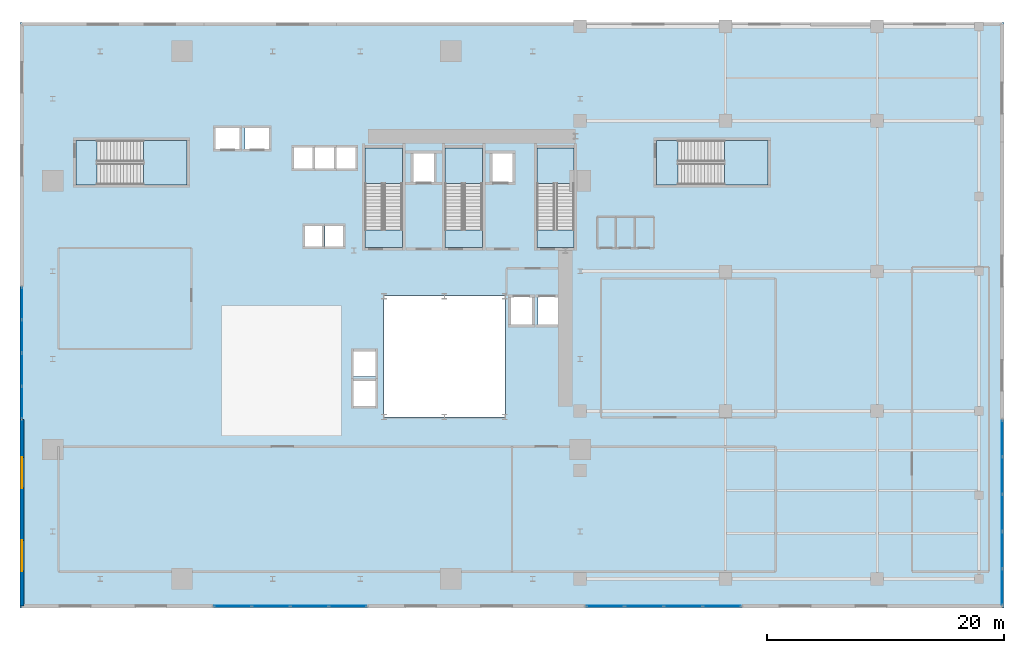
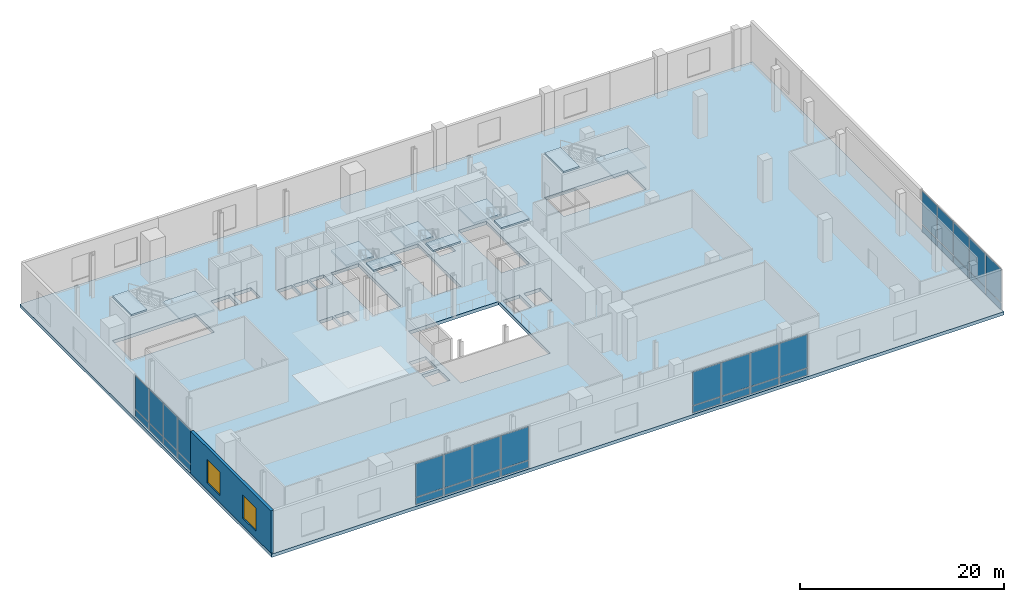
# One storey, part 5 of 12: 34 plates, 11 slabs, 2 windows, 1 wall, 2 openings, 9 elements without a shape of their own.
"""IFC4 building model written with IfcOpenShell, lengths in metres."""

from ifc_helpers import new_model, si_unit, direction, frame, frame_2d, origin, origin_2d, place, context, subcontext, project, spatial, polyline, rectangle, outline, extrude, source, transform, mapped, material, layer, layer_set, type_object, element, fill, aggregate, save


model = new_model("IFC4")

# Units and contexts
model_context = context("Model", 3, precision=1e-05, world=origin(), true_north=direction((0.0, 1.0)))
body_context = subcontext(model_context, "Body", "Model", "MODEL_VIEW")
ifc_project = project(units=[si_unit("LENGTHUNIT", "METRE"), si_unit("AREAUNIT", "SQUARE_METRE"), si_unit("VOLUMEUNIT", "CUBIC_METRE"), si_unit("PLANEANGLEUNIT", "RADIAN"), si_unit("MASSUNIT", "GRAM", prefix="KILO")], contexts=[model_context])

# Site, building, storey
site_placement = place(None, origin())
site = spatial("IfcSite", under=ifc_project, at=site_placement, CompositionType="ELEMENT")
building_placement = place(site_placement, origin())
building = spatial("IfcBuilding", under=site, at=building_placement, Name="Vardaveli Station Tower", CompositionType="ELEMENT")
storey_placement = place(building_placement, frame((0.0, 0.0, 17.0)))
storey = spatial("IfcBuildingStorey", under=building, at=storey_placement, Name="L04", CompositionType="ELEMENT", Elevation=17.0)

# Stair, slabs
ifc_material_1 = material(Name="Concrete C40/50", Category="concrete")
stair_type_1 = type_object("IfcStairType", Name="STR-CORE-1500", PredefinedType="HALF_TURN_STAIR", material=ifc_material_1)
stair_1_placement = place(storey_placement, origin())
stair_1 = element("IfcStair", 1, at=stair_1_placement, inside=storey, type_object=stair_type_1, Name="L04 ST-1", PredefinedType="HALF_TURN_STAIR")
ifc_layer_1 = layer(ifc_material_1, 0.199951171875, Name="Concrete C40/50")
ifc_layer_set_1 = layer_set([ifc_layer_1], Name="Concrete C40/50")
slab_type_1 = type_object("IfcSlabType", Name="SLB-LAND-200", PredefinedType="LANDING", material=ifc_layer_set_1)
slab_1_placement = place(storey_placement, frame((0.0, 0.0, 2.5)))
slab_1 = element("IfcSlab", 2, at=slab_1_placement, type_object=slab_type_1, Name="ST-1 landing 1", PredefinedType="LANDING", context=body_context, shape_type="SweptSolid", body=[
    extrude(outline(polyline([(32.75, 36.320068359375), (32.75, 39.300048828125), (29.60009765625, 39.300048828125), (29.60009765625, 36.320068359375), (32.75, 36.320068359375)])), origin(), (0.0, 0.0, 1.0), 0.199951171875),
])
slab_2_placement = place(storey_placement, frame((0.0, 0.0, 5.199951171875)))
slab_2 = element("IfcSlab", 3, at=slab_2_placement, type_object=slab_type_1, Name="ST-1 landing 2", PredefinedType="LANDING", context=body_context, shape_type="SweptSolid", body=[
    extrude(outline(polyline([(32.75, 30.89990234375), (32.75, 32.39990234375), (29.60009765625, 32.39990234375), (29.60009765625, 30.89990234375), (32.75, 30.89990234375)])), origin(), (0.0, 0.0, 1.0), 0.199951171875),
])
aggregate(stair_1, [slab_1, slab_2])

stair_2_placement = place(storey_placement, origin())
stair_2 = element("IfcStair", 4, at=stair_2_placement, inside=storey, type_object=stair_type_1, Name="L04 ST-2", PredefinedType="HALF_TURN_STAIR")
slab_3_placement = place(storey_placement, frame((0.0, 0.0, 2.5)))
slab_3 = element("IfcSlab", 5, at=slab_3_placement, type_object=slab_type_1, Name="ST-2 landing 1", PredefinedType="LANDING", context=body_context, shape_type="SweptSolid", body=[
    extrude(outline(polyline([(39.5, 36.320068359375), (39.5, 39.300048828125), (36.35009765625, 39.300048828125), (36.35009765625, 36.320068359375), (39.5, 36.320068359375)])), origin(), (0.0, 0.0, 1.0), 0.199951171875),
])
slab_4_placement = place(storey_placement, frame((0.0, 0.0, 5.199951171875)))
slab_4 = element("IfcSlab", 6, at=slab_4_placement, type_object=slab_type_1, Name="ST-2 landing 2", PredefinedType="LANDING", context=body_context, shape_type="SweptSolid", body=[
    extrude(outline(polyline([(39.5, 30.89990234375), (39.5, 32.39990234375), (36.35009765625, 32.39990234375), (36.35009765625, 30.89990234375), (39.5, 30.89990234375)])), origin(), (0.0, 0.0, 1.0), 0.199951171875),
])
aggregate(stair_2, [slab_3, slab_4])

stair_3_placement = place(storey_placement, origin())
stair_3 = element("IfcStair", 7, at=stair_3_placement, inside=storey, type_object=stair_type_1, Name="L04 ST-3", PredefinedType="HALF_TURN_STAIR")
slab_5_placement = place(storey_placement, frame((0.0, 0.0, 2.5)))
slab_5 = element("IfcSlab", 8, at=slab_5_placement, type_object=slab_type_1, Name="ST-3 landing 1", PredefinedType="LANDING", context=body_context, shape_type="SweptSolid", body=[
    extrude(outline(polyline([(47.25, 36.320068359375), (47.25, 39.300048828125), (44.10009765625, 39.300048828125), (44.10009765625, 36.320068359375), (47.25, 36.320068359375)])), origin(), (0.0, 0.0, 1.0), 0.199951171875),
])
slab_6_placement = place(storey_placement, frame((0.0, 0.0, 5.199951171875)))
slab_6 = element("IfcSlab", 9, at=slab_6_placement, type_object=slab_type_1, Name="ST-3 landing 2", PredefinedType="LANDING", context=body_context, shape_type="SweptSolid", body=[
    extrude(outline(polyline([(47.25, 30.89990234375), (47.25, 32.39990234375), (44.10009765625, 32.39990234375), (44.10009765625, 30.89990234375), (47.25, 30.89990234375)])), origin(), (0.0, 0.0, 1.0), 0.199951171875),
])
aggregate(stair_3, [slab_5, slab_6])

stair_type_2 = type_object("IfcStairType", Name="STR-POD-1800", PredefinedType="HALF_TURN_STAIR", material=ifc_material_1)
stair_4_placement = place(storey_placement, origin())
stair_4 = element("IfcStair", 10, at=stair_4_placement, inside=storey, type_object=stair_type_2, Name="L04 ST-P1", PredefinedType="HALF_TURN_STAIR")
slab_7_placement = place(storey_placement, frame((0.0, 0.0, 2.5)))
slab_7 = element("IfcSlab", 11, at=slab_7_placement, type_object=slab_type_1, Name="ST-P1 landing 1", PredefinedType="LANDING", context=body_context, shape_type="SweptSolid", body=[
    extrude(outline(polyline([(10.919921875, 36.199951171875), (14.60009765625, 36.199951171875), (14.60009765625, 39.949951171875), (10.919921875, 39.949951171875), (10.919921875, 36.199951171875)])), origin(), (0.0, 0.0, 1.0), 0.199951171875),
])
slab_8_placement = place(storey_placement, frame((0.0, 0.0, 5.199951171875)))
slab_8 = element("IfcSlab", 12, at=slab_8_placement, type_object=slab_type_1, Name="ST-P1 landing 2", PredefinedType="LANDING", context=body_context, shape_type="SweptSolid", body=[
    extrude(outline(polyline([(5.199951171875, 36.199951171875), (7.0, 36.199951171875), (7.0, 39.949951171875), (5.199951171875, 39.949951171875), (5.199951171875, 36.199951171875)])), origin(), (0.0, 0.0, 1.0), 0.199951171875),
])
aggregate(stair_4, [slab_7, slab_8])

stair_5_placement = place(storey_placement, origin())
stair_5 = element("IfcStair", 13, at=stair_5_placement, inside=storey, type_object=stair_type_2, Name="L04 ST-P2", PredefinedType="HALF_TURN_STAIR")
slab_9_placement = place(storey_placement, frame((0.0, 0.0, 2.5)))
slab_9 = element("IfcSlab", 14, at=slab_9_placement, type_object=slab_type_1, Name="ST-P2 landing 1", PredefinedType="LANDING", context=body_context, shape_type="SweptSolid", body=[
    extrude(outline(polyline([(59.919921875, 36.199951171875), (63.60009765625, 36.199951171875), (63.60009765625, 39.949951171875), (59.919921875, 39.949951171875), (59.919921875, 36.199951171875)])), origin(), (0.0, 0.0, 1.0), 0.199951171875),
])
slab_10_placement = place(storey_placement, frame((0.0, 0.0, 5.199951171875)))
slab_10 = element("IfcSlab", 15, at=slab_10_placement, type_object=slab_type_1, Name="ST-P2 landing 2", PredefinedType="LANDING", context=body_context, shape_type="SweptSolid", body=[
    extrude(outline(polyline([(54.199951171875, 36.199951171875), (56.0, 36.199951171875), (56.0, 39.949951171875), (54.199951171875, 39.949951171875), (54.199951171875, 36.199951171875)])), origin(), (0.0, 0.0, 1.0), 0.199951171875),
])
aggregate(stair_5, [slab_9, slab_10])

# Slab
ifc_material_2 = material(Name="Concrete C50/60", Category="concrete")
ifc_layer_2 = layer(ifc_material_2, 0.39990234375, Name="Concrete C50/60")
ifc_layer_set_2 = layer_set([ifc_layer_2], Name="Concrete C50/60")
slab_type_2 = type_object("IfcSlabType", Name="SLB-TRANS-400", PredefinedType="FLOOR", material=ifc_layer_set_2)
slab_11_placement = place(storey_placement, frame((0.0, 0.0, -0.39990234375)))
element("IfcSlab", 16, at=slab_11_placement, inside=storey, type_object=slab_type_2, Name="SLB-L04-MAIN", PredefinedType="FLOOR", context=body_context, shape_type="SweptSolid", body=[
    extrude(outline(polyline([(0.489990234375, 0.489990234375), (83.510009765625, 0.489990234375), (83.510009765625, 49.909912109375), (0.489990234375, 49.909912109375), (0.489990234375, 0.489990234375)]), holes=[polyline([(31.199951171875, 16.60009765625), (41.39990234375, 16.60009765625), (41.39990234375, 26.800048828125), (31.199951171875, 26.800048828125), (31.199951171875, 16.60009765625)]), polyline([(32.75, 30.89990234375), (32.75, 39.300048828125), (29.60009765625, 39.300048828125), (29.60009765625, 30.89990234375), (32.75, 30.89990234375)]), polyline([(39.5, 30.89990234375), (39.5, 39.300048828125), (36.35009765625, 39.300048828125), (36.35009765625, 30.89990234375), (39.5, 30.89990234375)]), polyline([(47.25, 30.89990234375), (47.25, 39.300048828125), (44.10009765625, 39.300048828125), (44.10009765625, 30.89990234375), (47.25, 30.89990234375)]), polyline([(5.199951171875, 36.199951171875), (14.60009765625, 36.199951171875), (14.60009765625, 39.949951171875), (5.199951171875, 39.949951171875), (5.199951171875, 36.199951171875)]), polyline([(54.199951171875, 36.199951171875), (63.60009765625, 36.199951171875), (63.60009765625, 39.949951171875), (54.199951171875, 39.949951171875), (54.199951171875, 36.199951171875)]), polyline([(16.9599609375, 39.18505859375), (19.0400390625, 39.18505859375), (19.0400390625, 41.014892578125), (16.9599609375, 41.014892578125), (16.9599609375, 39.18505859375)]), polyline([(19.4599609375, 39.18505859375), (21.5400390625, 39.18505859375), (21.5400390625, 41.014892578125), (19.4599609375, 41.014892578125), (19.4599609375, 39.18505859375)]), polyline([(23.5849609375, 37.534912109375), (25.215087890625, 37.534912109375), (25.215087890625, 39.364990234375), (23.5849609375, 39.364990234375), (23.5849609375, 37.534912109375)]), polyline([(25.385009765625, 37.534912109375), (27.014892578125, 37.534912109375), (27.014892578125, 39.364990234375), (25.385009765625, 39.364990234375), (25.385009765625, 37.534912109375)]), polyline([(27.18505859375, 37.534912109375), (28.81494140625, 37.534912109375), (28.81494140625, 39.364990234375), (27.18505859375, 39.364990234375), (27.18505859375, 37.534912109375)]), polyline([(33.659912109375, 36.409912109375), (35.43994140625, 36.409912109375), (35.43994140625, 38.889892578125), (33.659912109375, 38.889892578125), (33.659912109375, 36.409912109375)]), polyline([(40.31005859375, 36.409912109375), (42.090087890625, 36.409912109375), (42.090087890625, 38.889892578125), (40.31005859375, 38.889892578125), (40.31005859375, 36.409912109375)]), polyline([(24.485107421875, 30.9599609375), (26.014892578125, 30.9599609375), (26.014892578125, 32.739990234375), (24.485107421875, 32.739990234375), (24.485107421875, 30.9599609375)]), polyline([(26.235107421875, 30.9599609375), (27.764892578125, 30.9599609375), (27.764892578125, 32.739990234375), (26.235107421875, 32.739990234375), (26.235107421875, 30.9599609375)]), polyline([(28.5849609375, 17.510009765625), (30.514892578125, 17.510009765625), (30.514892578125, 19.68994140625), (28.5849609375, 19.68994140625), (28.5849609375, 17.510009765625)]), polyline([(28.5849609375, 20.010009765625), (30.514892578125, 20.010009765625), (30.514892578125, 22.18994140625), (28.5849609375, 22.18994140625), (28.5849609375, 20.010009765625)]), polyline([(41.860107421875, 24.360107421875), (43.739990234375, 24.360107421875), (43.739990234375, 26.739990234375), (41.860107421875, 26.739990234375), (41.860107421875, 24.360107421875)]), polyline([(44.2099609375, 24.360107421875), (46.090087890625, 24.360107421875), (46.090087890625, 26.739990234375), (44.2099609375, 26.739990234375), (44.2099609375, 24.360107421875)])]), origin(), (0.0, 0.0, 1.0), 0.39990234375),
])

# Curtain wall, plates
ifc_material_3 = material(Name="Travertine stone and solar-control glass", Category="masonry")
curtain_wall_type = type_object("IfcCurtainWallType", Name="CW-SYS-1", PredefinedType="NOTDEFINED", material=ifc_material_3)
curtain_wall_1_placement = place(storey_placement, origin())
curtain_wall_1 = element("IfcCurtainWall", 17, at=curtain_wall_1_placement, inside=storey, type_object=curtain_wall_type, Name="CW-L04-S2", PredefinedType="NOTDEFINED")
ifc_material_4 = material(Name="Double-glazed low-E solar-control glass", Category="glass")
ifc_layer_3 = layer(ifc_material_4, 0.048095703125, Name="Double-glazed low-E solar-control glass")
ifc_layer_set_3 = layer_set([ifc_layer_3], Name="Double-glazed low-E solar-control glass")
plate_type = type_object("IfcPlateType", Name="CW-SYS-1-PAN", PredefinedType="CURTAIN_PANEL", material=ifc_layer_set_3)
shared_shape_1 = source(origin(), body_context, "Body", "SweptSolid", [
    extrude(rectangle(XDim=3.107421875, YDim=0.048095703125, at=origin_2d()), origin(), (0.0, 0.0, 1.0), 0.8076171875),
])
plate_1_placement = place(storey_placement, frame((18.44873046875, 0.64990234375, 0.094970703125), z_axis=(0.0, 0.0, 1.0), x_axis=(1.0, 0.0, 0.0)))
plate_1 = element("IfcPlate", 18, at=plate_1_placement, type_object=plate_type, Name="CW-1 panel 1.1", PredefinedType="CURTAIN_PANEL", context=body_context, shape_type="MappedRepresentation", body=[
    mapped(shared_shape_1, transform((0.0, 0.0, 0.0), scale=1.0)),
])
plate_2_placement = place(storey_placement, frame((28.1513671875, 0.64990234375, 0.094970703125), z_axis=(0.0, 0.0, 1.0), x_axis=(1.0, 0.0, 0.0)))
plate_2 = element("IfcPlate", 19, at=plate_2_placement, type_object=plate_type, Name="CW-1 panel 4.1", PredefinedType="CURTAIN_PANEL", context=body_context, shape_type="MappedRepresentation", body=[
    mapped(shared_shape_1, transform((0.0, 0.0, 0.0), scale=1.0)),
])
shared_shape_2 = source(origin(), body_context, "Body", "SweptSolid", [
    extrude(rectangle(XDim=3.155029296875, YDim=0.048095703125, at=origin_2d()), origin(), (0.0, 0.0, 1.0), 0.8076171875),
])
plate_3_placement = place(storey_placement, frame((21.675048828125, 0.64990234375, 0.094970703125), z_axis=(0.0, 0.0, 1.0), x_axis=(1.0, 0.0, 0.0)))
plate_3 = element("IfcPlate", 20, at=plate_3_placement, type_object=plate_type, Name="CW-1 panel 2.1", PredefinedType="CURTAIN_PANEL", context=body_context, shape_type="MappedRepresentation", body=[
    mapped(shared_shape_2, transform((0.0, 0.0, 0.0), scale=1.0)),
])
plate_4_placement = place(storey_placement, frame((24.925048828125, 0.64990234375, 0.094970703125), z_axis=(0.0, 0.0, 1.0), x_axis=(1.0, 0.0, 0.0)))
plate_4 = element("IfcPlate", 21, at=plate_4_placement, type_object=plate_type, Name="CW-1 panel 3.1", PredefinedType="CURTAIN_PANEL", context=body_context, shape_type="MappedRepresentation", body=[
    mapped(shared_shape_2, transform((0.0, 0.0, 0.0), scale=1.0)),
])

curtain_wall_2_placement = place(storey_placement, origin())
curtain_wall_2 = element("IfcCurtainWall", 22, at=curtain_wall_2_placement, inside=storey, type_object=curtain_wall_type, Name="CW-L04-S4", PredefinedType="NOTDEFINED")
shared_shape_3 = source(origin(), body_context, "Body", "SweptSolid", [
    extrude(rectangle(XDim=3.157470703125, YDim=0.048095703125, at=origin_2d()), origin(), (0.0, 0.0, 1.0), 0.8076171875),
])
plate_5_placement = place(storey_placement, frame((49.873779296875, 0.64990234375, 0.094970703125), z_axis=(0.0, 0.0, 1.0), x_axis=(1.0, 0.0, 0.0)))
plate_5 = element("IfcPlate", 23, at=plate_5_placement, type_object=plate_type, Name="CW-1 panel 1.1", PredefinedType="CURTAIN_PANEL", context=body_context, shape_type="MappedRepresentation", body=[
    mapped(shared_shape_3, transform((0.0, 0.0, 0.0), scale=1.0)),
])
plate_6_placement = place(storey_placement, frame((59.726318359375, 0.64990234375, 0.094970703125), z_axis=(0.0, 0.0, 1.0), x_axis=(1.0, 0.0, 0.0)))
plate_6 = element("IfcPlate", 24, at=plate_6_placement, type_object=plate_type, Name="CW-1 panel 4.1", PredefinedType="CURTAIN_PANEL", context=body_context, shape_type="MappedRepresentation", body=[
    mapped(shared_shape_3, transform((0.0, 0.0, 0.0), scale=1.0)),
])
shared_shape_4 = source(origin(), body_context, "Body", "SweptSolid", [
    extrude(rectangle(XDim=3.205078125, YDim=0.048095703125, at=origin_2d()), origin(), (0.0, 0.0, 1.0), 0.8076171875),
])
plate_7_placement = place(storey_placement, frame((53.14990234375, 0.64990234375, 0.094970703125), z_axis=(0.0, 0.0, 1.0), x_axis=(1.0, 0.0, 0.0)))
plate_7 = element("IfcPlate", 25, at=plate_7_placement, type_object=plate_type, Name="CW-1 panel 2.1", PredefinedType="CURTAIN_PANEL", context=body_context, shape_type="MappedRepresentation", body=[
    mapped(shared_shape_4, transform((0.0, 0.0, 0.0), scale=1.0)),
])
plate_8_placement = place(storey_placement, frame((56.449951171875, 0.64990234375, 0.094970703125), z_axis=(0.0, 0.0, 1.0), x_axis=(1.0, 0.0, 0.0)))
plate_8 = element("IfcPlate", 26, at=plate_8_placement, type_object=plate_type, Name="CW-1 panel 3.1", PredefinedType="CURTAIN_PANEL", context=body_context, shape_type="MappedRepresentation", body=[
    mapped(shared_shape_4, transform((0.0, 0.0, 0.0), scale=1.0)),
])

curtain_wall_3_placement = place(storey_placement, origin())
curtain_wall_3 = element("IfcCurtainWall", 27, at=curtain_wall_3_placement, inside=storey, type_object=curtain_wall_type, Name="CW-L04-E1", PredefinedType="NOTDEFINED")
shared_shape_5 = source(origin(), body_context, "Body", "SweptSolid", [
    extrude(rectangle(XDim=3.007568359375, YDim=0.048095703125, at=origin_2d()), origin(), (0.0, 0.0, 1.0), 0.8076171875),
])
plate_9_placement = place(storey_placement, frame((83.35009765625, 2.248779296875, 0.094970703125), z_axis=(0.0, 0.0, 1.0), x_axis=(0.0, 1.0, 0.0)))
plate_9 = element("IfcPlate", 28, at=plate_9_placement, type_object=plate_type, Name="CW-1 panel 1.1", PredefinedType="CURTAIN_PANEL", context=body_context, shape_type="MappedRepresentation", body=[
    mapped(shared_shape_5, transform((0.0, 0.0, 0.0), scale=1.0)),
])
plate_10_placement = place(storey_placement, frame((83.35009765625, 14.80126953125, 0.094970703125), z_axis=(0.0, 0.0, 1.0), x_axis=(0.0, 1.0, 0.0)))
plate_10 = element("IfcPlate", 29, at=plate_10_placement, type_object=plate_type, Name="CW-1 panel 5.1", PredefinedType="CURTAIN_PANEL", context=body_context, shape_type="MappedRepresentation", body=[
    mapped(shared_shape_5, transform((0.0, 0.0, 0.0), scale=1.0)),
])
shared_shape_6 = source(origin(), body_context, "Body", "SweptSolid", [
    extrude(rectangle(XDim=3.054931640625, YDim=0.048095703125, at=origin_2d()), origin(), (0.0, 0.0, 1.0), 0.8076171875),
])
plate_11_placement = place(storey_placement, frame((83.35009765625, 5.375, 0.094970703125), z_axis=(0.0, 0.0, 1.0), x_axis=(0.0, 1.0, 0.0)))
plate_11 = element("IfcPlate", 30, at=plate_11_placement, type_object=plate_type, Name="CW-1 panel 2.1", PredefinedType="CURTAIN_PANEL", context=body_context, shape_type="MappedRepresentation", body=[
    mapped(shared_shape_6, transform((0.0, 0.0, 0.0), scale=1.0)),
])
plate_12_placement = place(storey_placement, frame((83.35009765625, 8.52490234375, 0.094970703125), z_axis=(0.0, 0.0, 1.0), x_axis=(0.0, 1.0, 0.0)))
plate_12 = element("IfcPlate", 31, at=plate_12_placement, type_object=plate_type, Name="CW-1 panel 3.1", PredefinedType="CURTAIN_PANEL", context=body_context, shape_type="MappedRepresentation", body=[
    mapped(shared_shape_6, transform((0.0, 0.0, 0.0), scale=1.0)),
])
plate_13_placement = place(storey_placement, frame((83.35009765625, 11.675048828125, 0.094970703125), z_axis=(0.0, 0.0, 1.0), x_axis=(0.0, 1.0, 0.0)))
plate_13 = element("IfcPlate", 32, at=plate_13_placement, type_object=plate_type, Name="CW-1 panel 4.1", PredefinedType="CURTAIN_PANEL", context=body_context, shape_type="MappedRepresentation", body=[
    mapped(shared_shape_6, transform((0.0, 0.0, 0.0), scale=1.0)),
])

curtain_wall_4_placement = place(storey_placement, origin())
curtain_wall_4 = element("IfcCurtainWall", 33, at=curtain_wall_4_placement, inside=storey, type_object=curtain_wall_type, Name="CW-L04-W2", PredefinedType="NOTDEFINED")
shared_shape_7 = source(origin(), body_context, "Body", "SweptSolid", [
    extrude(rectangle(XDim=2.657470703125, YDim=0.048095703125, at=origin_2d()), origin(), (0.0, 0.0, 1.0), 0.8076171875),
])
plate_14_placement = place(storey_placement, frame((0.64990234375, 26.17626953125, 0.094970703125), z_axis=(0.0, 0.0, 1.0), x_axis=(0.0, -1.0, 0.0)))
plate_14 = element("IfcPlate", 34, at=plate_14_placement, type_object=plate_type, Name="CW-1 panel 1.1", PredefinedType="CURTAIN_PANEL", context=body_context, shape_type="MappedRepresentation", body=[
    mapped(shared_shape_7, transform((0.0, 0.0, 0.0), scale=1.0)),
])
plate_15_placement = place(storey_placement, frame((0.64990234375, 17.82373046875, 0.094970703125), z_axis=(0.0, 0.0, 1.0), x_axis=(0.0, -1.0, 0.0)))
plate_15 = element("IfcPlate", 35, at=plate_15_placement, type_object=plate_type, Name="CW-1 panel 4.1", PredefinedType="CURTAIN_PANEL", context=body_context, shape_type="MappedRepresentation", body=[
    mapped(shared_shape_7, transform((0.0, 0.0, 0.0), scale=1.0)),
])
shared_shape_8 = source(origin(), body_context, "Body", "SweptSolid", [
    extrude(rectangle(XDim=2.705078125, YDim=0.048095703125, at=origin_2d()), origin(), (0.0, 0.0, 1.0), 0.8076171875),
])
plate_16_placement = place(storey_placement, frame((0.64990234375, 23.39990234375, 0.094970703125), z_axis=(0.0, 0.0, 1.0), x_axis=(0.0, -1.0, 0.0)))
plate_16 = element("IfcPlate", 36, at=plate_16_placement, type_object=plate_type, Name="CW-1 panel 2.1", PredefinedType="CURTAIN_PANEL", context=body_context, shape_type="MappedRepresentation", body=[
    mapped(shared_shape_8, transform((0.0, 0.0, 0.0), scale=1.0)),
])
plate_17_placement = place(storey_placement, frame((0.64990234375, 20.60009765625, 0.094970703125), z_axis=(0.0, 0.0, 1.0), x_axis=(0.0, -1.0, 0.0)))
plate_17 = element("IfcPlate", 37, at=plate_17_placement, type_object=plate_type, Name="CW-1 panel 3.1", PredefinedType="CURTAIN_PANEL", context=body_context, shape_type="MappedRepresentation", body=[
    mapped(shared_shape_8, transform((0.0, 0.0, 0.0), scale=1.0)),
])

# Plate
shared_shape_9 = source(origin(), body_context, "Body", "SweptSolid", [
    extrude(rectangle(XDim=3.107421875, YDim=0.048095703125, at=origin_2d()), origin(), (0.0, 0.0, 1.0), 3.987548828125),
])
plate_18_placement = place(storey_placement, frame((18.44873046875, 0.64990234375, 0.99755859375), z_axis=(0.0, 0.0, 1.0), x_axis=(1.0, 0.0, 0.0)))
plate_18 = element("IfcPlate", 38, at=plate_18_placement, type_object=plate_type, Name="CW-1 panel 1.2", PredefinedType="CURTAIN_PANEL", context=body_context, shape_type="MappedRepresentation", body=[
    mapped(shared_shape_9, transform((0.0, 0.0, 0.0), scale=1.0)),
])

plate_19_placement = place(storey_placement, frame((28.1513671875, 0.64990234375, 0.99755859375), z_axis=(0.0, 0.0, 1.0), x_axis=(1.0, 0.0, 0.0)))
plate_19 = element("IfcPlate", 39, at=plate_19_placement, type_object=plate_type, Name="CW-1 panel 4.2", PredefinedType="CURTAIN_PANEL", context=body_context, shape_type="MappedRepresentation", body=[
    mapped(shared_shape_9, transform((0.0, 0.0, 0.0), scale=1.0)),
])

shared_shape_10 = source(origin(), body_context, "Body", "SweptSolid", [
    extrude(rectangle(XDim=3.155029296875, YDim=0.048095703125, at=origin_2d()), origin(), (0.0, 0.0, 1.0), 3.987548828125),
])
plate_20_placement = place(storey_placement, frame((21.675048828125, 0.64990234375, 0.99755859375), z_axis=(0.0, 0.0, 1.0), x_axis=(1.0, 0.0, 0.0)))
plate_20 = element("IfcPlate", 40, at=plate_20_placement, type_object=plate_type, Name="CW-1 panel 2.2", PredefinedType="CURTAIN_PANEL", context=body_context, shape_type="MappedRepresentation", body=[
    mapped(shared_shape_10, transform((0.0, 0.0, 0.0), scale=1.0)),
])

plate_21_placement = place(storey_placement, frame((24.925048828125, 0.64990234375, 0.99755859375), z_axis=(0.0, 0.0, 1.0), x_axis=(1.0, 0.0, 0.0)))
plate_21 = element("IfcPlate", 41, at=plate_21_placement, type_object=plate_type, Name="CW-1 panel 3.2", PredefinedType="CURTAIN_PANEL", context=body_context, shape_type="MappedRepresentation", body=[
    mapped(shared_shape_10, transform((0.0, 0.0, 0.0), scale=1.0)),
])

aggregate(curtain_wall_1, [plate_1, plate_18, plate_3, plate_20, plate_4, plate_21, plate_2, plate_19])

shared_shape_11 = source(origin(), body_context, "Body", "SweptSolid", [
    extrude(rectangle(XDim=3.157470703125, YDim=0.048095703125, at=origin_2d()), origin(), (0.0, 0.0, 1.0), 3.987548828125),
])
plate_22_placement = place(storey_placement, frame((49.873779296875, 0.64990234375, 0.99755859375), z_axis=(0.0, 0.0, 1.0), x_axis=(1.0, 0.0, 0.0)))
plate_22 = element("IfcPlate", 42, at=plate_22_placement, type_object=plate_type, Name="CW-1 panel 1.2", PredefinedType="CURTAIN_PANEL", context=body_context, shape_type="MappedRepresentation", body=[
    mapped(shared_shape_11, transform((0.0, 0.0, 0.0), scale=1.0)),
])

plate_23_placement = place(storey_placement, frame((59.726318359375, 0.64990234375, 0.99755859375), z_axis=(0.0, 0.0, 1.0), x_axis=(1.0, 0.0, 0.0)))
plate_23 = element("IfcPlate", 43, at=plate_23_placement, type_object=plate_type, Name="CW-1 panel 4.2", PredefinedType="CURTAIN_PANEL", context=body_context, shape_type="MappedRepresentation", body=[
    mapped(shared_shape_11, transform((0.0, 0.0, 0.0), scale=1.0)),
])

shared_shape_12 = source(origin(), body_context, "Body", "SweptSolid", [
    extrude(rectangle(XDim=3.205078125, YDim=0.048095703125, at=origin_2d()), origin(), (0.0, 0.0, 1.0), 3.987548828125),
])
plate_24_placement = place(storey_placement, frame((53.14990234375, 0.64990234375, 0.99755859375), z_axis=(0.0, 0.0, 1.0), x_axis=(1.0, 0.0, 0.0)))
plate_24 = element("IfcPlate", 44, at=plate_24_placement, type_object=plate_type, Name="CW-1 panel 2.2", PredefinedType="CURTAIN_PANEL", context=body_context, shape_type="MappedRepresentation", body=[
    mapped(shared_shape_12, transform((0.0, 0.0, 0.0), scale=1.0)),
])

plate_25_placement = place(storey_placement, frame((56.449951171875, 0.64990234375, 0.99755859375), z_axis=(0.0, 0.0, 1.0), x_axis=(1.0, 0.0, 0.0)))
plate_25 = element("IfcPlate", 45, at=plate_25_placement, type_object=plate_type, Name="CW-1 panel 3.2", PredefinedType="CURTAIN_PANEL", context=body_context, shape_type="MappedRepresentation", body=[
    mapped(shared_shape_12, transform((0.0, 0.0, 0.0), scale=1.0)),
])

aggregate(curtain_wall_2, [plate_5, plate_22, plate_7, plate_24, plate_8, plate_25, plate_6, plate_23])

shared_shape_13 = source(origin(), body_context, "Body", "SweptSolid", [
    extrude(rectangle(XDim=2.657470703125, YDim=0.048095703125, at=origin_2d()), origin(), (0.0, 0.0, 1.0), 3.987548828125),
])
plate_26_placement = place(storey_placement, frame((0.64990234375, 26.17626953125, 0.99755859375), z_axis=(0.0, 0.0, 1.0), x_axis=(0.0, -1.0, 0.0)))
plate_26 = element("IfcPlate", 46, at=plate_26_placement, type_object=plate_type, Name="CW-1 panel 1.2", PredefinedType="CURTAIN_PANEL", context=body_context, shape_type="MappedRepresentation", body=[
    mapped(shared_shape_13, transform((0.0, 0.0, 0.0), scale=1.0)),
])

plate_27_placement = place(storey_placement, frame((0.64990234375, 17.82373046875, 0.99755859375), z_axis=(0.0, 0.0, 1.0), x_axis=(0.0, -1.0, 0.0)))
plate_27 = element("IfcPlate", 47, at=plate_27_placement, type_object=plate_type, Name="CW-1 panel 4.2", PredefinedType="CURTAIN_PANEL", context=body_context, shape_type="MappedRepresentation", body=[
    mapped(shared_shape_13, transform((0.0, 0.0, 0.0), scale=1.0)),
])

shared_shape_14 = source(origin(), body_context, "Body", "SweptSolid", [
    extrude(rectangle(XDim=2.705078125, YDim=0.048095703125, at=origin_2d()), origin(), (0.0, 0.0, 1.0), 3.987548828125),
])
plate_28_placement = place(storey_placement, frame((0.64990234375, 23.39990234375, 0.99755859375), z_axis=(0.0, 0.0, 1.0), x_axis=(0.0, -1.0, 0.0)))
plate_28 = element("IfcPlate", 48, at=plate_28_placement, type_object=plate_type, Name="CW-1 panel 2.2", PredefinedType="CURTAIN_PANEL", context=body_context, shape_type="MappedRepresentation", body=[
    mapped(shared_shape_14, transform((0.0, 0.0, 0.0), scale=1.0)),
])

plate_29_placement = place(storey_placement, frame((0.64990234375, 20.60009765625, 0.99755859375), z_axis=(0.0, 0.0, 1.0), x_axis=(0.0, -1.0, 0.0)))
plate_29 = element("IfcPlate", 49, at=plate_29_placement, type_object=plate_type, Name="CW-1 panel 3.2", PredefinedType="CURTAIN_PANEL", context=body_context, shape_type="MappedRepresentation", body=[
    mapped(shared_shape_14, transform((0.0, 0.0, 0.0), scale=1.0)),
])

aggregate(curtain_wall_4, [plate_14, plate_26, plate_16, plate_28, plate_17, plate_29, plate_15, plate_27])

shared_shape_15 = source(origin(), body_context, "Body", "SweptSolid", [
    extrude(rectangle(XDim=3.007568359375, YDim=0.048095703125, at=origin_2d()), origin(), (0.0, 0.0, 1.0), 3.987548828125),
])
plate_30_placement = place(storey_placement, frame((83.35009765625, 2.248779296875, 0.99755859375), z_axis=(0.0, 0.0, 1.0), x_axis=(0.0, 1.0, 0.0)))
plate_30 = element("IfcPlate", 50, at=plate_30_placement, type_object=plate_type, Name="CW-1 panel 1.2", PredefinedType="CURTAIN_PANEL", context=body_context, shape_type="MappedRepresentation", body=[
    mapped(shared_shape_15, transform((0.0, 0.0, 0.0), scale=1.0)),
])

plate_31_placement = place(storey_placement, frame((83.35009765625, 14.80126953125, 0.99755859375), z_axis=(0.0, 0.0, 1.0), x_axis=(0.0, 1.0, 0.0)))
plate_31 = element("IfcPlate", 51, at=plate_31_placement, type_object=plate_type, Name="CW-1 panel 5.2", PredefinedType="CURTAIN_PANEL", context=body_context, shape_type="MappedRepresentation", body=[
    mapped(shared_shape_15, transform((0.0, 0.0, 0.0), scale=1.0)),
])

shared_shape_16 = source(origin(), body_context, "Body", "SweptSolid", [
    extrude(rectangle(XDim=3.054931640625, YDim=0.048095703125, at=origin_2d()), origin(), (0.0, 0.0, 1.0), 3.987548828125),
])
plate_32_placement = place(storey_placement, frame((83.35009765625, 5.375, 0.99755859375), z_axis=(0.0, 0.0, 1.0), x_axis=(0.0, 1.0, 0.0)))
plate_32 = element("IfcPlate", 52, at=plate_32_placement, type_object=plate_type, Name="CW-1 panel 2.2", PredefinedType="CURTAIN_PANEL", context=body_context, shape_type="MappedRepresentation", body=[
    mapped(shared_shape_16, transform((0.0, 0.0, 0.0), scale=1.0)),
])

plate_33_placement = place(storey_placement, frame((83.35009765625, 8.52490234375, 0.99755859375), z_axis=(0.0, 0.0, 1.0), x_axis=(0.0, 1.0, 0.0)))
plate_33 = element("IfcPlate", 53, at=plate_33_placement, type_object=plate_type, Name="CW-1 panel 3.2", PredefinedType="CURTAIN_PANEL", context=body_context, shape_type="MappedRepresentation", body=[
    mapped(shared_shape_16, transform((0.0, 0.0, 0.0), scale=1.0)),
])

plate_34_placement = place(storey_placement, frame((83.35009765625, 11.675048828125, 0.99755859375), z_axis=(0.0, 0.0, 1.0), x_axis=(0.0, 1.0, 0.0)))
plate_34 = element("IfcPlate", 54, at=plate_34_placement, type_object=plate_type, Name="CW-1 panel 4.2", PredefinedType="CURTAIN_PANEL", context=body_context, shape_type="MappedRepresentation", body=[
    mapped(shared_shape_16, transform((0.0, 0.0, 0.0), scale=1.0)),
])

aggregate(curtain_wall_3, [plate_9, plate_30, plate_11, plate_32, plate_12, plate_33, plate_13, plate_34, plate_10, plate_31])

# Wall, openings, windows
ifc_material_5 = material(Name="Precast concrete C45/55", Category="concrete")
ifc_layer_4 = layer(ifc_material_5, 0.320068359375, Name="Precast concrete C45/55")
ifc_layer_set_4 = layer_set([ifc_layer_4], Name="Precast concrete C45/55")
wall_type = type_object("IfcWallType", Name="WAL-EXT-STONE-320", PredefinedType="SOLIDWALL", material=ifc_layer_set_4)
shared_shape_17 = source(origin(), body_context, "Body", "SweptSolid", [
    extrude(rectangle(XDim=15.75, YDim=0.320068359375, at=frame_2d((7.875, 0.0))), origin(), (0.0, 0.0, 1.0), 5.080078125),
])
wall_placement = place(storey_placement, frame((0.64990234375, 16.39990234375, 0.0), z_axis=(0.0, 0.0, 1.0), x_axis=(0.0, -1.0, 0.0)))
wall = element("IfcWall", 55, at=wall_placement, inside=storey, type_object=wall_type, Name="EW-L04-W1", PredefinedType="SOLIDWALL", context=body_context, shape_type="MappedRepresentation", body=[
    mapped(shared_shape_17, transform((0.0, 0.0, 0.0), scale=1.0)),
])
shared_shape_18 = source(origin(), body_context, "Body", "SweptSolid", [
    extrude(rectangle(XDim=2.60009765625, YDim=2.800048828125, at=frame_2d((1.300048828125, 1.39990234375))), frame((0.0, 0.169921875, 0.0), z_axis=(0.0, -1.0, 0.0), x_axis=(1.0, 0.0, 0.0)), (0.0, 0.0, 1.0), 0.340087890625),
])
opening_1_placement = place(wall_placement, frame((3.199951171875, 0.0, 0.85009765625)))
opening_1 = element("IfcOpeningElement", 56, at=opening_1_placement, cuts=wall, Name="Opening W-02", PredefinedType="OPENING", context=body_context, shape_type="MappedRepresentation", body=[
    mapped(shared_shape_18, transform((0.0, 0.0, 0.0), scale=1.0)),
])
opening_2_placement = place(wall_placement, frame((10.199951171875, 0.0, 0.85009765625)))
opening_2 = element("IfcOpeningElement", 57, at=opening_2_placement, cuts=wall, Name="Opening W-02", PredefinedType="OPENING", context=body_context, shape_type="MappedRepresentation", body=[
    mapped(shared_shape_18, transform((0.0, 0.0, 0.0), scale=1.0)),
])
ifc_material_6 = material(Name="Low-E solar-control glass", Category="glass")
window_type = type_object("IfcWindowType", Name="WIN-POD-2600x2800", PartitioningType="SINGLE_PANEL", PredefinedType="WINDOW", material=ifc_material_6)
shared_shape_19 = source(origin(), body_context, "Body", "SweptSolid", [
    extrude(rectangle(XDim=2.60009765625, YDim=2.800048828125, at=frame_2d((1.300048828125, 1.39990234375))), frame((0.0, 0.030029296875, 0.0), z_axis=(0.0, -1.0, 0.0), x_axis=(1.0, 0.0, 0.0)), (0.0, 0.0, 1.0), 0.06005859375),
])
window_1_placement = place(opening_1_placement, origin())
window_1 = element("IfcWindow", 58, at=window_1_placement, inside=storey, type_object=window_type, Name="WN-L04-W1A", OverallHeight=2.800048828125, OverallWidth=2.60009765625, PartitioningType="SINGLE_PANEL", PredefinedType="WINDOW", context=body_context, shape_type="MappedRepresentation", body=[
    mapped(shared_shape_19, transform((0.0, 0.0, 0.0), scale=1.0)),
])
fill(opening_1, window_1)
window_2_placement = place(opening_2_placement, origin())
window_2 = element("IfcWindow", 59, at=window_2_placement, inside=storey, type_object=window_type, Name="WN-L04-W1B", OverallHeight=2.800048828125, OverallWidth=2.60009765625, PartitioningType="SINGLE_PANEL", PredefinedType="WINDOW", context=body_context, shape_type="MappedRepresentation", body=[
    mapped(shared_shape_19, transform((0.0, 0.0, 0.0), scale=1.0)),
])
fill(opening_2, window_2)

save(model, "model.ifc")
